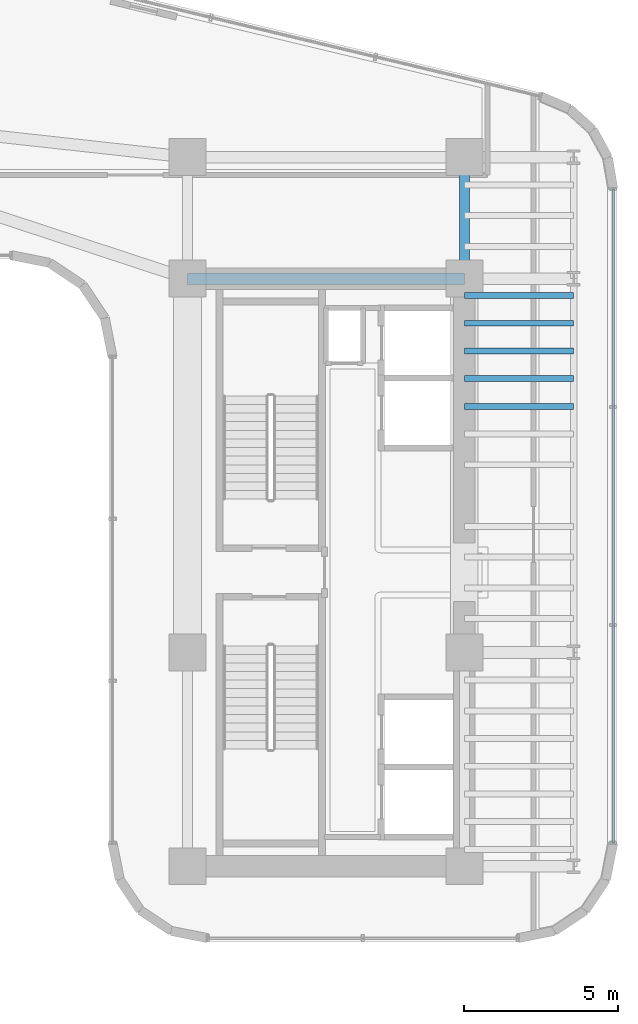
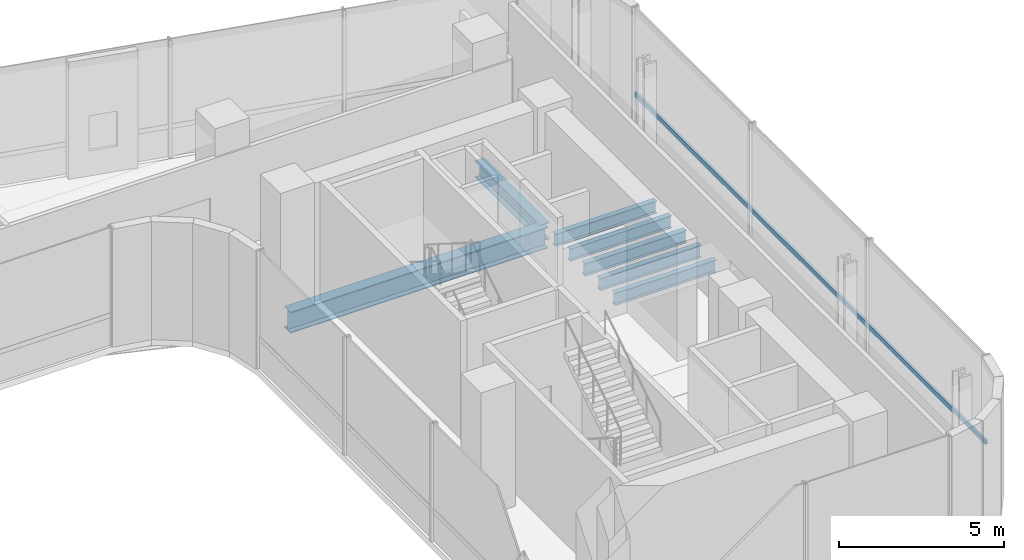
# One storey, part 16 of 32: 7 beams, 1 member, 1 element without a shape of its own.
"""IFC4 building model written with IfcOpenShell, lengths in metres."""

import ifcopenshell
import ifcopenshell.guid

model = None  # the IFC model being written
_history = None  # IfcOwnerHistory: only IFC2X3 demands one
_inside = {}  # id of a spatial element -> (the spatial element, [elements in it])
_under = {}  # id of a project, library or spatial element -> (it, [spatial elements below it])
_declared = {}  # id of a project -> (the project, [libraries it declares])
_typed = {}  # id of a type object -> (the type object, [elements of that type])
_made_of = {}  # id of a material, layer set ... -> (it, [elements and type objects made of it])


def new_model(schema):
    """Start an empty IFC model of exactly this schema.

    Asked for "IFC4X3", IfcOpenShell would pick the latest addendum, in which some entities
    have other attributes; the version numbers below select the first issue.
    IFC2X3 requires an IfcOwnerHistory on every rooted entity: one is made here for all.
    """
    global model, _history
    if schema == "IFC4X3":
        model = ifcopenshell.file(schema_version=(4, 3, 0, 0))
    else:
        model = ifcopenshell.file(schema=schema)
    _inside.clear()
    _under.clear()
    _declared.clear()
    _typed.clear()
    _made_of.clear()
    _history = None
    if model.schema == "IFC2X3":
        org = make("IfcOrganization", Name="unknown")
        user = make(
            "IfcPersonAndOrganization",
            ThePerson=make("IfcPerson", FamilyName="unknown"),
            TheOrganization=org,
        )
        app = make(
            "IfcApplication",
            ApplicationDeveloper=org,
            Version="unknown",
            ApplicationFullName="unknown",
            ApplicationIdentifier="unknown",
        )
        _history = make(
            "IfcOwnerHistory",
            OwningUser=user,
            OwningApplication=app,
            ChangeAction="ADDED",
            CreationDate=0,
        )
    return model


def make(cls, **values):
    """One entity of the class cls with the attributes given. An attribute that is None is left unset."""
    return model.create_entity(
        cls, **{name: value for name, value in values.items() if value is not None}
    )


def rooted(cls, **values):
    """An entity with a GlobalId (a new one), such as an element, a storey or a relation."""
    return make(cls, GlobalId=ifcopenshell.guid.new(), OwnerHistory=_history, **values)


def si_unit(unit_type, name, prefix=None):
    """IfcSIUnit, for example si_unit("LENGTHUNIT", "METRE", prefix="MILLI")."""
    return make("IfcSIUnit", UnitType=unit_type, Prefix=prefix, Name=name)


def assignment(units):
    """IfcUnitAssignment: the units of a project."""
    return None if units is None else make("IfcUnitAssignment", Units=units)


def point(xyz):
    """IfcCartesianPoint."""
    return None if xyz is None else make("IfcCartesianPoint", Coordinates=xyz)


def direction(xyz):
    """IfcDirection."""
    return None if xyz is None else make("IfcDirection", DirectionRatios=xyz)


def frame(location, z_axis=None, x_axis=None):
    """IfcAxis2Placement3D, a coordinate frame: its origin and axes. An axis left out is left unset."""
    return make(
        "IfcAxis2Placement3D",
        Location=point(location),
        Axis=direction(z_axis),
        RefDirection=direction(x_axis),
    )


def frame_2d(location, x_axis=None):
    """IfcAxis2Placement2D, a coordinate frame in the plane: its origin and x axis."""
    return make(
        "IfcAxis2Placement2D", Location=point(location), RefDirection=direction(x_axis)
    )


def origin():
    """The frame at (0, 0, 0) with its axes left unset."""
    return frame((0.0, 0.0, 0.0))


def origin_2d():
    """The frame at (0, 0) in the plane with its x axis left unset."""
    return frame_2d((0.0, 0.0))


def place(relative_to, where):
    """IfcLocalPlacement: puts the frame where relative to a parent placement (None: the world)."""
    return make(
        "IfcLocalPlacement", PlacementRelTo=relative_to, RelativePlacement=where
    )


def context(
    kind, dimensions, precision=None, world=None, true_north=None, identifier=None
):
    """IfcGeometricRepresentationContext, for example the 3D "Model" context."""
    return make(
        "IfcGeometricRepresentationContext",
        ContextIdentifier=identifier,
        ContextType=kind,
        CoordinateSpaceDimension=dimensions,
        Precision=precision,
        WorldCoordinateSystem=world,
        TrueNorth=true_north,
    )


def subcontext(parent, identifier, kind, view, scale=None):
    """IfcGeometricRepresentationSubContext, for example "Body" below "Model"."""
    return make(
        "IfcGeometricRepresentationSubContext",
        ContextIdentifier=identifier,
        ContextType=kind,
        ParentContext=parent,
        TargetScale=scale,
        TargetView=view,
    )


def project(units=None, contexts=None):
    """IfcProject with its units and contexts."""
    return rooted(
        "IfcProject",
        Name="project",
        RepresentationContexts=contexts,
        UnitsInContext=assignment(units),
    )


def spatial(cls, under=None, at=None, **own):
    """A site, building, storey or space (cls), placed at a placement, below another one or the project."""
    s = rooted(cls, ObjectPlacement=at, **own)
    if under is not None:
        _under.setdefault(under.id(), (under, []))[1].append(s)
    return s


def profile(cls, at=None, kind="AREA", **sizes):
    """A parametric profile (cls). Its sizes go by their IFC names, for example OverallWidth=200.0."""
    return make(cls, ProfileType=kind, Position=at, **sizes)


def hollow_rectangle(**sizes):
    """IfcRectangleHollowProfileDef."""
    return profile("IfcRectangleHollowProfileDef", **sizes)


def i_section(**sizes):
    """IfcIShapeProfileDef."""
    return profile("IfcIShapeProfileDef", **sizes)


def extrude(swept, where, along, depth):
    """IfcExtrudedAreaSolid: the profile swept, set in the frame where, extruded along a direction by depth."""
    return make(
        "IfcExtrudedAreaSolid",
        SweptArea=swept,
        Position=where,
        ExtrudedDirection=direction(along),
        Depth=depth,
    )


def shape(context_of_items, identifier, shape_type, items):
    """IfcShapeRepresentation: the items that make up one representation, for example the "Body"."""
    return make(
        "IfcShapeRepresentation",
        ContextOfItems=context_of_items,
        RepresentationIdentifier=identifier,
        RepresentationType=shape_type,
        Items=items,
    )


def source(mapping_origin, context_of_items, identifier, shape_type, items):
    """IfcRepresentationMap: a shape defined once, which mapped items show again and again."""
    return make(
        "IfcRepresentationMap",
        MappingOrigin=mapping_origin,
        MappedRepresentation=shape(context_of_items, identifier, shape_type, items),
    )


def transform(
    local_origin,
    x_axis=None,
    y_axis=None,
    z_axis=None,
    scale=None,
    scale2=None,
    scale3=None,
    uniform=True,
):
    """IfcCartesianTransformationOperator3D, or its non-uniform kind. x_axis, y_axis, z_axis: its Axis1, 2, 3."""
    if uniform:
        return make(
            "IfcCartesianTransformationOperator3D",
            Axis1=direction(x_axis),
            Axis2=direction(y_axis),
            LocalOrigin=point(local_origin),
            Scale=scale,
            Axis3=direction(z_axis),
        )
    return make(
        "IfcCartesianTransformationOperator3DnonUniform",
        Axis1=direction(x_axis),
        Axis2=direction(y_axis),
        LocalOrigin=point(local_origin),
        Scale=scale,
        Axis3=direction(z_axis),
        Scale2=scale2,
        Scale3=scale3,
    )


def mapped(mapping_source, mapping_target):
    """IfcMappedItem: shows the shape of a source again, moved by a transform."""
    return make(
        "IfcMappedItem", MappingSource=mapping_source, MappingTarget=mapping_target
    )


def material(Name=None, Category=None):
    """IfcMaterial."""
    return make("IfcMaterial", Name=Name, Category=Category)


def material_profile(
    of_material, cross_section, Name=None, Category=None, Priority=None
):
    """IfcMaterialProfile: a cross section and its material."""
    return make(
        "IfcMaterialProfile",
        Name=Name,
        Material=of_material,
        Profile=cross_section,
        Priority=Priority,
        Category=Category,
    )


def profile_set(profiles, Name=None, composite=None):
    """IfcMaterialProfileSet."""
    return make(
        "IfcMaterialProfileSet",
        Name=Name,
        MaterialProfiles=profiles,
        CompositeProfile=composite,
    )


def made_of(thing, what):
    """Note that an element or type object is made of a material, layer set ...; save() writes the relation."""
    if what is not None:
        _made_of.setdefault(what.id(), (what, []))[1].append(thing)
    return thing


def type_object(cls, material=None, **own):
    """A type object (cls), such as IfcWallType, which elements share."""
    return made_of(rooted(cls, **own), material)


def element(
    cls,
    number,
    at=None,
    inside=None,
    cuts=None,
    type_object=None,
    material=None,
    context=None,
    identifier="Body",
    shape_type=None,
    held_by="IfcProductDefinitionShape",
    body=None,
    shapes=None,
    **own,
):
    """One element of the class cls, such as IfcWall. Its Tag is "e" and its number.

    at: its placement. inside: the storey or other place that contains it. cuts: it is an
    opening in that element (IfcRelVoidsElement). A single representation is given by context,
    identifier, shape_type and body (its items); several are given by shapes. held_by: the class
    of the entity that holds the representations. save() writes the other relations.
    """
    e = rooted(cls, Tag="e%d" % number, ObjectPlacement=at, **own)
    if body is not None:
        shapes = [shape(context, identifier, shape_type, body)]
    if shapes is not None:
        e.Representation = make(held_by, Representations=shapes)
    if inside is not None:
        _inside.setdefault(inside.id(), (inside, []))[1].append(e)
    if cuts is not None:
        rooted(
            "IfcRelVoidsElement", RelatingBuildingElement=cuts, RelatedOpeningElement=e
        )
    if type_object is not None:
        _typed.setdefault(type_object.id(), (type_object, []))[1].append(e)
    return made_of(e, material)


def aggregate(whole, parts):
    """IfcRelAggregates: a whole, such as a stair, and the parts it consists of."""
    return rooted("IfcRelAggregates", RelatingObject=whole, RelatedObjects=parts)


def save(model, path):
    """Write the relations noted so far, then the file.

    IfcRelAggregates (storeys below a building ...), IfcRelContainedInSpatialStructure (elements
    in a storey), IfcRelDefinesByType, IfcRelAssociatesMaterial and IfcRelDeclares: one each for
    every whole, place, type object, material and project.
    """
    for whole, parts in _under.values():
        aggregate(whole, parts)
    for where, things in _inside.values():
        rooted(
            "IfcRelContainedInSpatialStructure",
            RelatedElements=things,
            RelatingStructure=where,
        )
    for kind, things in _typed.values():
        rooted("IfcRelDefinesByType", RelatedObjects=things, RelatingType=kind)
    for what, things in _made_of.values():
        rooted("IfcRelAssociatesMaterial", RelatedObjects=things, RelatingMaterial=what)
    for by, libraries in _declared.values():
        rooted("IfcRelDeclares", RelatingContext=by, RelatedDefinitions=libraries)
    model.write(path)


model = new_model("IFC4")

# Units and contexts
model_context = context("Model", 3, precision=1e-05, world=origin(), true_north=direction((0.0, 1.0)))
body_context = subcontext(model_context, "Body", "Model", "MODEL_VIEW")
ifc_project = project(units=[si_unit("LENGTHUNIT", "METRE"), si_unit("AREAUNIT", "SQUARE_METRE"), si_unit("VOLUMEUNIT", "CUBIC_METRE"), si_unit("PLANEANGLEUNIT", "RADIAN"), si_unit("MASSUNIT", "GRAM", prefix="KILO")], contexts=[model_context])

# Site, building, storey
site_placement = place(None, origin())
site = spatial("IfcSite", under=ifc_project, at=site_placement, CompositionType="ELEMENT")
building_placement = place(site_placement, origin())
building = spatial("IfcBuilding", under=site, at=building_placement, Name="Valdorenza Pilgrim Sanctuary Tower", CompositionType="ELEMENT")
storey_placement = place(building_placement, frame((0.0, 0.0, 101.10009765625)))
storey = spatial("IfcBuildingStorey", under=building, at=storey_placement, Name="L25", CompositionType="ELEMENT", Elevation=101.10009765625)

# Beams
ifc_material_1 = material(Name="Steel ASTM A992 Grade 50", Category="steel")
ifc_material_profile_1 = material_profile(ifc_material_1, i_section(OverallWidth=0.323974609375, OverallDepth=0.611083984375, WebThickness=0.0126953125, FlangeThickness=0.01904296875, at=origin_2d()), Name="W24X104")
ifc_profile_set_1 = profile_set([ifc_material_profile_1], Name="Steel ASTM A992 Grade 50")
beam_type_1 = type_object("IfcBeamType", Name="STR-BM-GRD-W24B", PredefinedType="BEAM", material=ifc_profile_set_1)
shared_shape_1 = source(origin(), body_context, "Body", "SweptSolid", [
    extrude(i_section(OverallWidth=0.323974609375, OverallDepth=0.611083984375, WebThickness=0.0126953125, FlangeThickness=0.01904296875, at=origin_2d()), origin(), (0.0, 0.0, 1.0), 3.949951171875),
])
beam_1_placement = place(storey_placement, frame((24.85009765625, 9.550048828125, -0.545654296875), z_axis=(0.0, 1.0, 0.0), x_axis=(-1.0, 0.0, 0.0)))
element("IfcBeam", 1, at=beam_1_placement, inside=storey, type_object=beam_type_1, Name="L25 Core Tie Girder CB-E-N1N2", PredefinedType="BEAM", context=body_context, shape_type="MappedRepresentation", body=[
    mapped(shared_shape_1, transform((0.0, 0.0, 0.0), x_axis=(1.0, 0.0, 0.0), y_axis=(0.0, 1.0, 0.0), z_axis=(0.0, 0.0, 1.0), scale=1.0)),
])
ifc_material_profile_2 = material_profile(ifc_material_1, i_section(OverallWidth=0.382080078125, OverallDepth=0.779052734375, WebThickness=0.01806640625, FlangeThickness=0.030029296875, at=origin_2d()), Name="W30X191")
ifc_profile_set_2 = profile_set([ifc_material_profile_2], Name="Steel ASTM A992 Grade 50")
beam_type_2 = type_object("IfcBeamType", Name="STR-BM-GRD-W30", PredefinedType="BEAM", material=ifc_profile_set_2)
shared_shape_2 = source(origin(), body_context, "Body", "SweptSolid", [
    extrude(i_section(OverallWidth=0.382080078125, OverallDepth=0.779052734375, WebThickness=0.01806640625, FlangeThickness=0.030029296875, at=origin_2d()), origin(), (0.0, 0.0, 1.0), 9.0),
])
beam_2_placement = place(storey_placement, frame((15.85009765625, 9.550048828125, -0.629638671875), z_axis=(1.0, 0.0, 0.0), x_axis=(0.0, 1.0, 0.0)))
element("IfcBeam", 2, at=beam_2_placement, inside=storey, type_object=beam_type_2, Name="L25 Floor Girder CB-XC-N1", PredefinedType="BEAM", context=body_context, shape_type="MappedRepresentation", body=[
    mapped(shared_shape_2, transform((0.0, 0.0, 0.0), x_axis=(1.0, 0.0, 0.0), y_axis=(0.0, 1.0, 0.0), z_axis=(0.0, 0.0, 1.0), scale=1.0)),
])
ifc_material_profile_3 = material_profile(ifc_material_1, i_section(OverallWidth=0.19091796875, OverallDepth=0.45703125, WebThickness=0.009033203125, FlangeThickness=0.014404296875, at=origin_2d()), Name="W18X50")
ifc_profile_set_3 = profile_set([ifc_material_profile_3], Name="Steel ASTM A992 Grade 50")
beam_type_3 = type_object("IfcBeamType", Name="STR-BM-JST-W18B", PredefinedType="JOIST", material=ifc_profile_set_3)
shared_shape_3 = source(origin(), body_context, "Body", "SweptSolid", [
    extrude(i_section(OverallWidth=0.19091796875, OverallDepth=0.45703125, WebThickness=0.009033203125, FlangeThickness=0.014404296875, at=origin_2d()), origin(), (0.0, 0.0, 1.0), 3.5498046875),
])
for number, where, z_axis, x_axis, name in (
    (3, (24.85009765625, 5.39990234375, -0.468505859375), (1.0, 0.0, 0.0), (0.0, 1.0, 0.0), "L25 Composite Floor Joist JST-WB-14"),
    (4, (24.85009765625, 6.300048828125, -0.468505859375), (1.0, 0.0, 0.0), (0.0, 1.0, 0.0), "L25 Composite Floor Joist JST-WB-15"),
    (5, (24.85009765625, 7.199951171875, -0.468505859375), (1.0, 0.0, 0.0), (0.0, 1.0, 0.0), "L25 Composite Floor Joist JST-WB-16"),
    (6, (24.85009765625, 8.10009765625, -0.468505859375), (1.0, 0.0, 0.0), (0.0, 1.0, 0.0), "L25 Composite Floor Joist JST-WB-17"),
    (7, (24.85009765625, 9.0, -0.468505859375), (1.0, 0.0, 0.0), (0.0, 1.0, 0.0), "L25 Composite Floor Joist JST-WB-18"),
):
    element("IfcBeam", number, at=place(storey_placement, frame(where, z_axis=z_axis, x_axis=x_axis)), inside=storey, type_object=beam_type_3, Name=name, PredefinedType="JOIST", context=body_context, shape_type="MappedRepresentation", body=[
        mapped(shared_shape_3, transform((0.0, 0.0, 0.0), x_axis=(1.0, 0.0, 0.0), y_axis=(0.0, 1.0, 0.0), z_axis=(0.0, 0.0, 1.0), scale=1.0)),
    ])

# Curtain wall, member
ifc_material_2 = material(Name="Curtain-wall IGU glazing", Category="glass")
curtain_wall_type = type_object("IfcCurtainWallType", Name="CW-SYS-04", PredefinedType="NOTDEFINED", material=ifc_material_2)
curtain_wall_placement = place(storey_placement, origin())
curtain_wall = element("IfcCurtainWall", 8, at=curtain_wall_placement, inside=storey, type_object=curtain_wall_type, Name="L25 Curtain Wall CW-L25-1-21", PredefinedType="NOTDEFINED")
ifc_material_3 = material(Name="Anodised aluminium AW-6060", Category="aluminium")
ifc_material_profile_4 = material_profile(ifc_material_3, hollow_rectangle(XDim=0.080078125, YDim=0.169921875, WallThickness=0.00390625, at=origin_2d()), Name="ALU-T 170x80x4")
ifc_profile_set_4 = profile_set([ifc_material_profile_4], Name="Anodised aluminium AW-6060")
member_type = type_object("IfcMemberType", Name="CW-TRN-04", PredefinedType="USERDEFINED", material=ifc_profile_set_4)
shared_shape_4 = source(origin(), body_context, "Body", "SweptSolid", [
    extrude(hollow_rectangle(XDim=0.080078125, YDim=0.169921875, WallThickness=0.00390625, at=origin_2d()), origin(), (0.0, 0.0, 1.0), 21.255615234375),
])
member_placement = place(storey_placement, frame((29.68994140625, 12.46630859375, 1.119873046875), z_axis=(0.0, -1.0, 0.0), x_axis=(1.0, 0.0, 0.0)))
member = element("IfcMember", 9, at=member_placement, type_object=member_type, Name="CW-L25-1-21 Transom 1", ObjectType="TRANSOM", PredefinedType="USERDEFINED", context=body_context, shape_type="MappedRepresentation", body=[
    mapped(shared_shape_4, transform((0.0, 0.0, 0.0), x_axis=(1.0, 0.0, 0.0), y_axis=(0.0, 1.0, 0.0), z_axis=(0.0, 0.0, 1.0), scale=1.0)),
])
aggregate(curtain_wall, [member])

save(model, "model.ifc")
